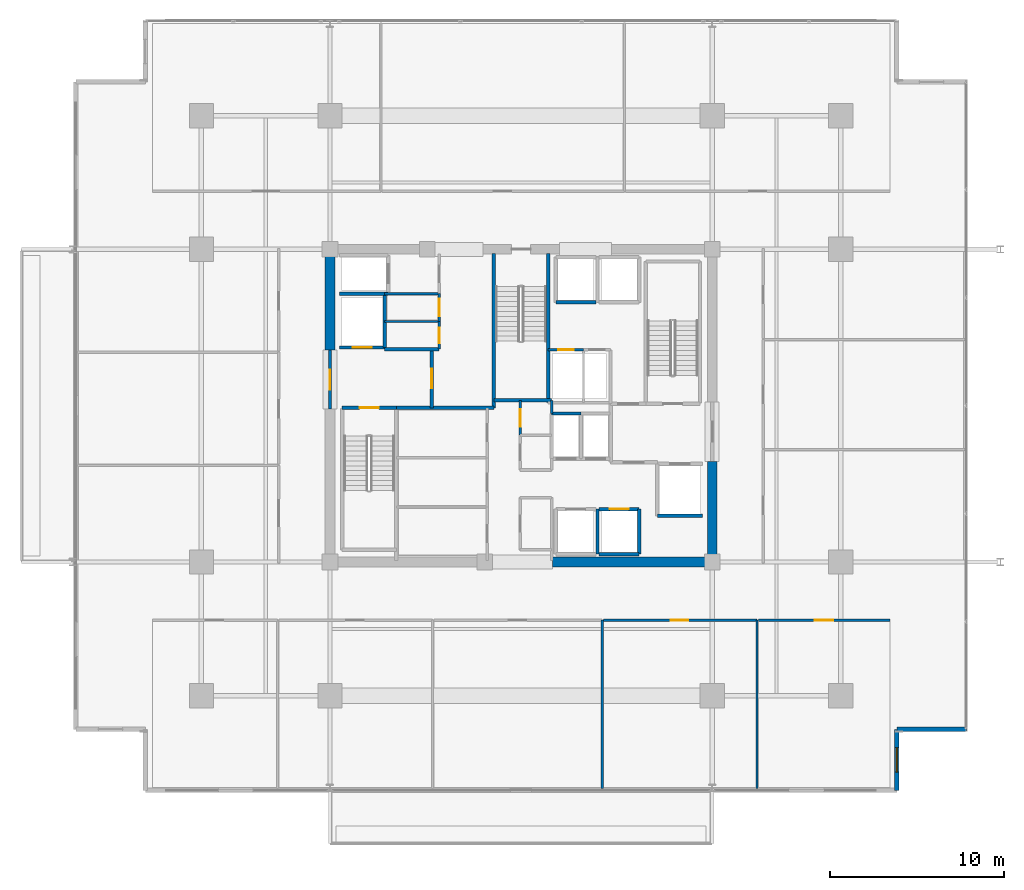
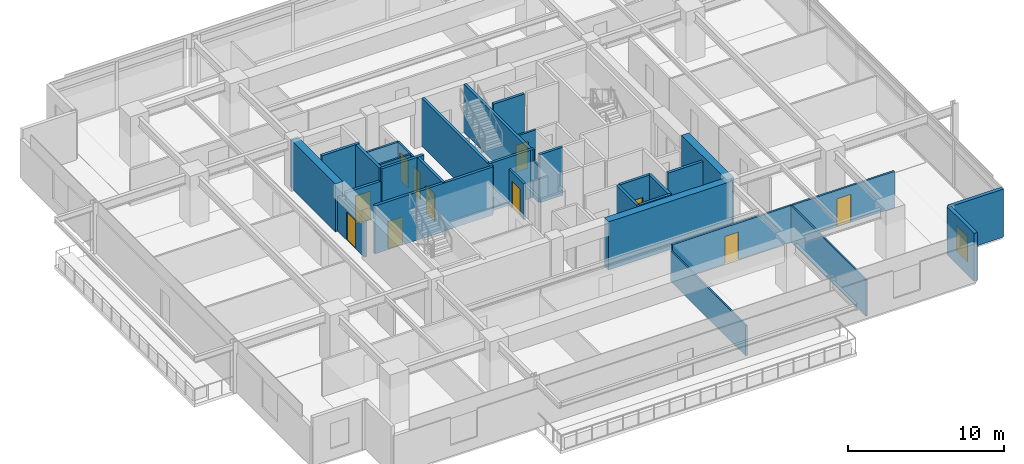
# One storey, part 16 of 23: 34 walls, 11 doors, 1 window, 12 openings.
"""IFC4 building model written with IfcOpenShell, lengths in metres."""

from ifc_helpers import new_model, si_unit, direction, frame, frame_2d, origin, place, context, subcontext, project, spatial, rectangle, extrude, material, layer, layer_set, type_object, element, fill, save


model = new_model("IFC4")

# Units and contexts
model_context = context("Model", 3, precision=1e-05, world=origin(), true_north=direction((0.0, 1.0)))
body_context = subcontext(model_context, "Body", "Model", "MODEL_VIEW")
ifc_project = project(units=[si_unit("LENGTHUNIT", "METRE"), si_unit("AREAUNIT", "SQUARE_METRE"), si_unit("VOLUMEUNIT", "CUBIC_METRE"), si_unit("PLANEANGLEUNIT", "RADIAN"), si_unit("MASSUNIT", "GRAM", prefix="KILO")], contexts=[model_context])

# Site, building, storey
site_placement = place(None, origin())
site = spatial("IfcSite", under=ifc_project, at=site_placement, CompositionType="ELEMENT")
building_placement = place(site_placement, origin())
building = spatial("IfcBuilding", under=site, at=building_placement, Name="Kovane Verandah Tower", CompositionType="ELEMENT")
storey_placement = place(building_placement, frame((0.0, 0.0, 221.199951171875)))
storey = spatial("IfcBuildingStorey", under=building, at=storey_placement, Name="L51", CompositionType="ELEMENT", Elevation=221.199951171875)

# Wall
ifc_material_1 = material(Name="Fire-Rated Gypsum Stud Partition", Category="gypsum")
ifc_layer_1 = layer(ifc_material_1, 0.14990234375)
ifc_layer_set_1 = layer_set([ifc_layer_1], Name="Fire-Rated Gypsum Stud Partition")
wall_type_1 = type_object("IfcWallType", Name="WL-COR-150", PredefinedType="PARTITIONING", material=ifc_layer_set_1)
wall_1_placement = place(storey_placement, frame((41.760009765625, 27.050048828125, 0.0), z_axis=(0.0, 0.0, 1.0), x_axis=(0.0, 1.0, 0.0)))
element("IfcWall", 1, at=wall_1_placement, inside=storey, type_object=wall_type_1, Name="L51 Central Core Strip Upper East Wall", PredefinedType="PARTITIONING", context=body_context, shape_type="SweptSolid", body=[
    extrude(rectangle(XDim=0.75, YDim=0.14990234375, at=frame_2d((0.375, 0.0))), origin(), (0.0, 0.0, 1.0), 2.85009765625),
])

# Wall, opening, door
wall_2_placement = place(storey_placement, frame((39.949951171875, 25.800048828125, 0.0), z_axis=(0.0, 0.0, 1.0), x_axis=(0.0, 1.0, 0.0)))
wall_2 = element("IfcWall", 2, at=wall_2_placement, inside=storey, type_object=wall_type_1, Name="L51 Central First Aid and Wellness Room Partition", PredefinedType="PARTITIONING", context=body_context, shape_type="SweptSolid", body=[
    extrude(rectangle(XDim=2.0, YDim=0.14990234375, at=frame_2d((1.0, 0.0))), origin(), (0.0, 0.0, 1.0), 2.85009765625),
])
opening_1_placement = place(wall_2_placement, frame((0.5, 0.0, 0.0)))
opening_1 = element("IfcOpeningElement", 3, at=opening_1_placement, cuts=wall_2, Name="Opening DR-L51-029", PredefinedType="OPENING", context=body_context, shape_type="SweptSolid", body=[
    extrude(rectangle(XDim=1.0, YDim=2.14990234375, at=frame_2d((0.5, 1.074951171875))), frame((0.0, 0.074951171875, 0.0), z_axis=(0.0, -1.0, 0.0), x_axis=(1.0, 0.0, 0.0)), (0.0, 0.0, 1.0), 0.14990234375),
])
ifc_material_2 = material(Name="FSC Spotted-Gum Timber Fire-Rated Office Door", Category="wood")
door_type_1 = type_object("IfcDoorType", Name="DR-OFF-1000", OperationType="SINGLE_SWING_LEFT", PredefinedType="DOOR", material=ifc_material_2)
door_1_placement = place(opening_1_placement, origin())
door_1 = element("IfcDoor", 4, at=door_1_placement, inside=storey, type_object=door_type_1, Name="L51 Central First Aid and Wellness Room Door", OperationType="SINGLE_SWING_RIGHT", OverallHeight=2.14990234375, OverallWidth=1.0, PredefinedType="DOOR", context=body_context, shape_type="SweptSolid", body=[
    extrude(rectangle(XDim=1.0, YDim=2.14990234375, at=frame_2d((0.5, 1.074951171875))), frame((0.0, 0.02490234375, 0.0), z_axis=(0.0, -1.0, 0.0), x_axis=(1.0, 0.0, 0.0)), (0.0, 0.0, 1.0), 0.050048828125),
])
fill(opening_1, door_1)

# Wall
wall_3_placement = place(storey_placement, frame((32.14990234375, 33.949951171875, 0.0), z_axis=(0.0, 0.0, 1.0), x_axis=(1.0, 0.0, 0.0)))
element("IfcWall", 5, at=wall_3_placement, inside=storey, type_object=wall_type_1, Name="L51 Goods Lift Lobby South Wall", PredefinedType="PARTITIONING", context=body_context, shape_type="SweptSolid", body=[
    extrude(rectangle(XDim=3.130126953125, YDim=0.14990234375, at=frame_2d((1.56494140625, 0.0))), origin(), (0.0, 0.0, 1.0), 2.85009765625),
])

# Wall, opening, door
wall_4_placement = place(storey_placement, frame((35.280029296875, 30.75, 0.0), z_axis=(0.0, 0.0, 1.0), x_axis=(0.0, 1.0, 0.0)))
wall_4 = element("IfcWall", 6, at=wall_4_placement, inside=storey, type_object=wall_type_1, Name="L51 Accessible Unisex Toilet Partition", PredefinedType="PARTITIONING", context=body_context, shape_type="SweptSolid", body=[
    extrude(rectangle(XDim=1.60009765625, YDim=0.14990234375, at=frame_2d((0.800048828125, 0.0))), origin(), (0.0, 0.0, 1.0), 2.85009765625),
])
opening_2_placement = place(wall_4_placement, frame((0.35009765625, 0.0, 0.0)))
opening_2 = element("IfcOpeningElement", 7, at=opening_2_placement, cuts=wall_4, Name="Opening DR-L51-030", PredefinedType="OPENING", context=body_context, shape_type="SweptSolid", body=[
    extrude(rectangle(XDim=0.89990234375, YDim=2.10009765625, at=frame_2d((0.449951171875, 1.050048828125))), frame((0.0, 0.074951171875, 0.0), z_axis=(0.0, -1.0, 0.0), x_axis=(1.0, 0.0, 0.0)), (0.0, 0.0, 1.0), 0.14990234375),
])
ifc_material_3 = material(Name="Moisture-Resistant Laminate Washroom Door", Category="wood")
door_type_2 = type_object("IfcDoorType", Name="DR-WC-900", OperationType="SINGLE_SWING_LEFT", PredefinedType="DOOR", material=ifc_material_3)
door_2_placement = place(opening_2_placement, origin())
door_2 = element("IfcDoor", 8, at=door_2_placement, inside=storey, type_object=door_type_2, Name="L51 Accessible Unisex Toilet Door", OperationType="SINGLE_SWING_RIGHT", OverallHeight=2.10009765625, OverallWidth=0.89990234375, PredefinedType="DOOR", context=body_context, shape_type="SweptSolid", body=[
    extrude(rectangle(XDim=0.89990234375, YDim=2.10009765625, at=frame_2d((0.449951171875, 1.050048828125))), frame((0.0, 0.02490234375, 0.0), z_axis=(0.0, -1.0, 0.0), x_axis=(1.0, 0.0, 0.0)), (0.0, 0.0, 1.0), 0.050048828125),
])
fill(opening_2, door_2)

wall_5_placement = place(storey_placement, frame((35.280029296875, 32.35009765625, 0.0), z_axis=(0.0, 0.0, 1.0), x_axis=(0.0, 1.0, 0.0)))
wall_5 = element("IfcWall", 9, at=wall_5_placement, inside=storey, type_object=wall_type_1, Name="L51 North-West First Aid Room Partition", PredefinedType="PARTITIONING", context=body_context, shape_type="SweptSolid", body=[
    extrude(rectangle(XDim=1.599853515625, YDim=0.14990234375, at=frame_2d((0.7998046875, 0.0))), origin(), (0.0, 0.0, 1.0), 2.85009765625),
])
opening_3_placement = place(wall_5_placement, frame((0.300048828125, 0.0, 0.0)))
opening_3 = element("IfcOpeningElement", 10, at=opening_3_placement, cuts=wall_5, Name="Opening DR-L51-012", PredefinedType="OPENING", context=body_context, shape_type="SweptSolid", body=[
    extrude(rectangle(XDim=1.0, YDim=2.14990234375, at=frame_2d((0.5, 1.074951171875))), frame((0.0, 0.074951171875, 0.0), z_axis=(0.0, -1.0, 0.0), x_axis=(1.0, 0.0, 0.0)), (0.0, 0.0, 1.0), 0.14990234375),
])
door_3_placement = place(opening_3_placement, origin())
door_3 = element("IfcDoor", 11, at=door_3_placement, inside=storey, type_object=door_type_1, Name="L51 North-West First Aid Room Door", OperationType="SINGLE_SWING_LEFT", OverallHeight=2.14990234375, OverallWidth=1.0, PredefinedType="DOOR", context=body_context, shape_type="SweptSolid", body=[
    extrude(rectangle(XDim=1.0, YDim=2.14990234375, at=frame_2d((0.5, 1.074951171875))), frame((0.0, 0.02490234375, 0.0), z_axis=(0.0, -1.0, 0.0), x_axis=(1.0, 0.0, 0.0)), (0.0, 0.0, 1.0), 0.050048828125),
])
fill(opening_3, door_3)

wall_6_placement = place(storey_placement, frame((41.56005859375, 30.719970703125, 0.0), z_axis=(0.0, 0.0, 1.0), x_axis=(1.0, 0.0, 0.0)))
wall_6 = element("IfcWall", 12, at=wall_6_placement, inside=storey, type_object=wall_type_1, Name="L51 Electrical Sub-Main Riser Room Partition", PredefinedType="PARTITIONING", context=body_context, shape_type="SweptSolid", body=[
    extrude(rectangle(XDim=2.0400390625, YDim=0.14990234375, at=frame_2d((1.02001953125, 0.0))), origin(), (0.0, 0.0, 1.0), 2.85009765625),
])
opening_4_placement = place(wall_6_placement, frame((0.580078125, 0.0, 0.0)))
opening_4 = element("IfcOpeningElement", 13, at=opening_4_placement, cuts=wall_6, Name="Opening DR-L51-019", PredefinedType="OPENING", context=body_context, shape_type="SweptSolid", body=[
    extrude(rectangle(XDim=0.8798828125, YDim=2.10009765625, at=frame_2d((0.43994140625, 1.050048828125))), frame((0.0, 0.074951171875, 0.0), z_axis=(0.0, -1.0, 0.0), x_axis=(1.0, 0.0, 0.0)), (0.0, 0.0, 1.0), 0.14990234375),
])
ifc_material_4 = material(Name="Fire-Rated Steel Riser Access Door", Category="steel")
door_type_3 = type_object("IfcDoorType", Name="DR-RISER-880", OperationType="SINGLE_SWING_LEFT", PredefinedType="DOOR", material=ifc_material_4)
door_4_placement = place(opening_4_placement, origin())
door_4 = element("IfcDoor", 14, at=door_4_placement, inside=storey, type_object=door_type_3, Name="L51 Electrical Sub-Main Riser Room Door", OperationType="SINGLE_SWING_LEFT", OverallHeight=2.10009765625, OverallWidth=0.8798828125, PredefinedType="DOOR", context=body_context, shape_type="SweptSolid", body=[
    extrude(rectangle(XDim=0.8798828125, YDim=2.10009765625, at=frame_2d((0.43994140625, 1.050048828125))), frame((0.0, 0.02490234375, 0.0), z_axis=(0.0, -1.0, 0.0), x_axis=(1.0, 0.0, 0.0)), (0.0, 0.0, 1.0), 0.050048828125),
])
fill(opening_4, door_4)

wall_7_placement = place(storey_placement, frame((44.740966796875, 15.14990234375, 0.0), z_axis=(0.0, 0.0, 1.0), x_axis=(1.0, 0.0, 0.0)))
wall_7 = element("IfcWall", 15, at=wall_7_placement, inside=storey, type_object=wall_type_1, Name="L51 Open Plan Office S4 Corridor Partition", PredefinedType="PARTITIONING", context=body_context, shape_type="SweptSolid", body=[
    extrude(rectangle(XDim=8.846923828125, YDim=0.14990234375, at=frame_2d((4.42333984375, 0.0))), origin(), (0.0, 0.0, 1.0), 2.85009765625),
])
opening_5_placement = place(wall_7_placement, frame((3.888671875, 0.0, 0.0)))
opening_5 = element("IfcOpeningElement", 16, at=opening_5_placement, cuts=wall_7, Name="Opening DR-L51-027", PredefinedType="OPENING", context=body_context, shape_type="SweptSolid", body=[
    extrude(rectangle(XDim=1.0, YDim=2.14990234375, at=frame_2d((0.5, 1.074951171875))), frame((0.0, 0.074951171875, 0.0), z_axis=(0.0, -1.0, 0.0), x_axis=(1.0, 0.0, 0.0)), (0.0, 0.0, 1.0), 0.14990234375),
])
door_5_placement = place(opening_5_placement, origin())
door_5 = element("IfcDoor", 17, at=door_5_placement, inside=storey, type_object=door_type_1, Name="L51 Open Plan Office S4 Entrance Door", OperationType="SINGLE_SWING_LEFT", OverallHeight=2.14990234375, OverallWidth=1.0, PredefinedType="DOOR", context=body_context, shape_type="SweptSolid", body=[
    extrude(rectangle(XDim=1.0, YDim=2.14990234375, at=frame_2d((0.5, 1.074951171875))), frame((0.0, 0.02490234375, 0.0), z_axis=(0.0, -1.0, 0.0), x_axis=(1.0, 0.0, 0.0)), (0.0, 0.0, 1.0), 0.050048828125),
])
fill(opening_5, door_5)

wall_8_placement = place(storey_placement, frame((53.657958984375, 15.14990234375, 0.0), z_axis=(0.0, 0.0, 1.0), x_axis=(1.0, 0.0, 0.0)))
wall_8 = element("IfcWall", 18, at=wall_8_placement, inside=storey, type_object=wall_type_1, Name="L51 Executive Office S5 Corridor Partition", PredefinedType="PARTITIONING", context=body_context, shape_type="SweptSolid", body=[
    extrude(rectangle(XDim=7.5732421875, YDim=0.14990234375, at=frame_2d((3.78662109375, 0.0))), origin(), (0.0, 0.0, 1.0), 2.85009765625),
])
opening_6_placement = place(wall_8_placement, frame((3.26171875, 0.0, 0.0)))
opening_6 = element("IfcOpeningElement", 19, at=opening_6_placement, cuts=wall_8, Name="Opening DR-L51-028", PredefinedType="OPENING", context=body_context, shape_type="SweptSolid", body=[
    extrude(rectangle(XDim=1.050048828125, YDim=2.199951171875, at=frame_2d((0.52490234375, 1.10009765625))), frame((0.0, 0.074951171875, 0.0), z_axis=(0.0, -1.0, 0.0), x_axis=(1.0, 0.0, 0.0)), (0.0, 0.0, 1.0), 0.14990234375),
])
ifc_material_5 = material(Name="FSC Blackbutt Timber Fire-Rated Executive Door", Category="wood")
door_type_4 = type_object("IfcDoorType", Name="DR-EXEC-1050", OperationType="SINGLE_SWING_LEFT", PredefinedType="DOOR", material=ifc_material_5)
door_6_placement = place(opening_6_placement, origin())
door_6 = element("IfcDoor", 20, at=door_6_placement, inside=storey, type_object=door_type_4, Name="L51 Executive Office S5 Entrance Door", OperationType="SINGLE_SWING_RIGHT", OverallHeight=2.199951171875, OverallWidth=1.050048828125, PredefinedType="DOOR", context=body_context, shape_type="SweptSolid", body=[
    extrude(rectangle(XDim=1.050048828125, YDim=2.199951171875, at=frame_2d((0.52490234375, 1.10009765625))), frame((0.0, 0.02490234375, 0.0), z_axis=(0.0, -1.0, 0.0), x_axis=(1.0, 0.0, 0.0)), (0.0, 0.0, 1.0), 0.050048828125),
])
fill(opening_6, door_6)

# Walls
ifc_material_6 = material(Name="Concrete C60/75", Category="concrete")
ifc_layer_2 = layer(ifc_material_6, 0.550048828125)
ifc_layer_set_2 = layer_set([ifc_layer_2], Name="Concrete C60/75")
wall_type_2 = type_object("IfcWallType", Name="WL-CORE-550", PredefinedType="SHEAR", material=ifc_layer_set_2)
wall_9_placement = place(storey_placement, frame((41.800048828125, 18.5, 0.0), z_axis=(0.0, 0.0, 1.0), x_axis=(1.0, 0.0, 0.0)))
element("IfcWall", 21, at=wall_9_placement, inside=storey, type_object=wall_type_2, Name="L51 Core Shear Wall CS-2", PredefinedType="SHEAR", context=body_context, shape_type="SweptSolid", body=[
    extrude(rectangle(XDim=9.199951171875, YDim=0.550048828125, at=frame_2d((4.60009765625, 0.0))), origin(), (0.0, 0.0, 1.0), 3.775146484375),
])
for number, where, z_axis, x_axis, name in (
    (22, (29.0, 30.699951171875, 0.0), (0.0, 0.0, 1.0), (0.0, 1.0, 0.0), "L51 Core Shear Wall CW-2"),
    (23, (51.0, 18.5, 0.0), (0.0, 0.0, 1.0), (0.0, 1.0, 0.0), "L51 Core Shear Wall CE-1"),
):
    element("IfcWall", number, at=place(storey_placement, frame(where, z_axis=z_axis, x_axis=x_axis)), inside=storey, type_object=wall_type_2, Name=name, PredefinedType="SHEAR", context=body_context, shape_type="SweptSolid", body=[
        extrude(rectangle(XDim=5.800048828125, YDim=0.550048828125, at=frame_2d((2.89990234375, 0.0))), origin(), (0.0, 0.0, 1.0), 3.775146484375),
    ])

# Wall, opening, door
ifc_material_7 = material(Name="Concrete C45/55 Fire Wall", Category="concrete")
ifc_layer_3 = layer(ifc_material_7, 0.199951171875)
ifc_layer_set_3 = layer_set([ifc_layer_3], Name="Concrete C45/55 Fire Wall")
wall_type_3 = type_object("IfcWallType", Name="WL-FFL-200", PredefinedType="PARTITIONING", material=ifc_layer_set_3)
wall_10_placement = place(storey_placement, frame((34.85009765625, 27.3798828125, 0.0), z_axis=(0.0, 0.0, 1.0), x_axis=(0.0, 1.0, 0.0)))
wall_10 = element("IfcWall", 24, at=wall_10_placement, inside=storey, type_object=wall_type_3, Name="W-L51-FFLW-E", PredefinedType="PARTITIONING", context=body_context, shape_type="SweptSolid", body=[
    extrude(rectangle(XDim=3.3701171875, YDim=0.199951171875, at=frame_2d((1.68505859375, 0.0))), origin(), (0.0, 0.0, 1.0), 3.775146484375),
])
opening_7_placement = place(wall_10_placement, frame((1.110107421875, 0.0, 0.0)))
opening_7 = element("IfcOpeningElement", 25, at=opening_7_placement, cuts=wall_10, Name="Opening DR-L51-006", PredefinedType="OPENING", context=body_context, shape_type="SweptSolid", body=[
    extrude(rectangle(XDim=1.14990234375, YDim=2.199951171875, at=frame_2d((0.574951171875, 1.10009765625))), frame((0.0, 0.10009765625, 0.0), z_axis=(0.0, -1.0, 0.0), x_axis=(1.0, 0.0, 0.0)), (0.0, 0.0, 1.0), 0.199951171875),
])
ifc_material_8 = material(Name="Smoke-Sealed Firefighting Lobby Door", Category="steel")
door_type_5 = type_object("IfcDoorType", Name="DR-FFL-1150", OperationType="SINGLE_SWING_LEFT", PredefinedType="DOOR", material=ifc_material_8)
door_7_placement = place(opening_7_placement, origin())
door_7 = element("IfcDoor", 26, at=door_7_placement, inside=storey, type_object=door_type_5, Name="L51 West Firefighting Lobby Inner Door", OperationType="SINGLE_SWING_LEFT", OverallHeight=2.199951171875, OverallWidth=1.14990234375, PredefinedType="DOOR", context=body_context, shape_type="SweptSolid", body=[
    extrude(rectangle(XDim=1.14990234375, YDim=2.199951171875, at=frame_2d((0.574951171875, 1.10009765625))), frame((0.0, 0.02490234375, 0.0), z_axis=(0.0, -1.0, 0.0), x_axis=(1.0, 0.0, 0.0)), (0.0, 0.0, 1.0), 0.050048828125),
])
fill(opening_7, door_7)

wall_11_placement = place(storey_placement, frame((29.0, 27.300048828125, 0.0), z_axis=(0.0, 0.0, 1.0), x_axis=(0.0, 1.0, 0.0)))
wall_11 = element("IfcWall", 27, at=wall_11_placement, inside=storey, type_object=wall_type_3, Name="W-L51-FFLW-OUT", PredefinedType="PARTITIONING", context=body_context, shape_type="SweptSolid", body=[
    extrude(rectangle(XDim=3.39990234375, YDim=0.199951171875, at=frame_2d((1.699951171875, 0.0))), origin(), (0.0, 0.0, 1.0), 2.755126953125),
])
opening_8_placement = place(wall_11_placement, frame((1.125, 0.0, 0.0)))
opening_8 = element("IfcOpeningElement", 28, at=opening_8_placement, cuts=wall_11, Name="Opening DR-L51-007", PredefinedType="OPENING", context=body_context, shape_type="SweptSolid", body=[
    extrude(rectangle(XDim=1.14990234375, YDim=2.199951171875, at=frame_2d((0.574951171875, 1.10009765625))), frame((0.0, 0.10009765625, 0.0), z_axis=(0.0, -1.0, 0.0), x_axis=(1.0, 0.0, 0.0)), (0.0, 0.0, 1.0), 0.199951171875),
])
door_8_placement = place(opening_8_placement, origin())
door_8 = element("IfcDoor", 29, at=door_8_placement, inside=storey, type_object=door_type_5, Name="L51 West Firefighting Lobby Corridor Door", OperationType="SINGLE_SWING_RIGHT", OverallHeight=2.199951171875, OverallWidth=1.14990234375, PredefinedType="DOOR", context=body_context, shape_type="SweptSolid", body=[
    extrude(rectangle(XDim=1.14990234375, YDim=2.199951171875, at=frame_2d((0.574951171875, 1.10009765625))), frame((0.0, 0.02490234375, 0.0), z_axis=(0.0, -1.0, 0.0), x_axis=(1.0, 0.0, 0.0)), (0.0, 0.0, 1.0), 0.050048828125),
])
fill(opening_8, door_8)

# Walls
wall_12_placement = place(storey_placement, frame((32.820068359375, 27.3798828125, 0.0), z_axis=(0.0, 0.0, 1.0), x_axis=(1.0, 0.0, 0.0)))
element("IfcWall", 30, at=wall_12_placement, inside=storey, type_object=wall_type_3, Name="L51 West Firefighting Lobby South Fire Wall", PredefinedType="PARTITIONING", context=body_context, shape_type="SweptSolid", body=[
    extrude(rectangle(XDim=5.619873046875, YDim=0.199951171875, at=frame_2d((2.81005859375, 0.0))), origin(), (0.0, 0.0, 1.0), 3.775146484375),
])
wall_13_placement = place(storey_placement, frame((32.14990234375, 30.75, 0.0), z_axis=(0.0, 0.0, 1.0), x_axis=(1.0, 0.0, 0.0)))
element("IfcWall", 31, at=wall_13_placement, inside=storey, type_object=wall_type_3, Name="L51 West Firefighting Lobby North Fire Wall", PredefinedType="PARTITIONING", context=body_context, shape_type="SweptSolid", body=[
    extrude(rectangle(XDim=3.130126953125, YDim=0.199951171875, at=frame_2d((1.56494140625, 0.0))), origin(), (0.0, 0.0, 1.0), 3.775146484375),
])

# Wall, opening, door
ifc_material_9 = material(Name="Concrete C45/55 Lift Shaft Wall", Category="concrete")
ifc_layer_4 = layer(ifc_material_9, 0.199951171875)
ifc_layer_set_4 = layer_set([ifc_layer_4], Name="Concrete C45/55 Lift Shaft Wall")
wall_type_4 = type_object("IfcWallType", Name="WL-LIFT-200", PredefinedType="SOLIDWALL", material=ifc_layer_set_4)
wall_14_placement = place(storey_placement, frame((29.550048828125, 30.85009765625, 0.0), z_axis=(0.0, 0.0, 1.0), x_axis=(1.0, 0.0, 0.0)))
wall_14 = element("IfcWall", 32, at=wall_14_placement, inside=storey, type_object=wall_type_4, Name="L51 Lift FL-01 S Shaft Wall", PredefinedType="SOLIDWALL", context=body_context, shape_type="SweptSolid", body=[
    extrude(rectangle(XDim=2.599853515625, YDim=0.199951171875, at=frame_2d((1.2998046875, 0.0))), origin(), (0.0, 0.0, 1.0), 2.755126953125),
])
opening_9_placement = place(wall_14_placement, frame((0.75, 0.0, 0.0)))
opening_9 = element("IfcOpeningElement", 33, at=opening_9_placement, cuts=wall_14, Name="Opening LD-L51-001", PredefinedType="OPENING", context=body_context, shape_type="SweptSolid", body=[
    extrude(rectangle(XDim=1.10009765625, YDim=2.199951171875, at=frame_2d((0.550048828125, 1.10009765625))), frame((0.0, 0.10009765625, 0.0), z_axis=(0.0, -1.0, 0.0), x_axis=(1.0, 0.0, 0.0)), (0.0, 0.0, 1.0), 0.199951171875),
])
ifc_material_10 = material(Name="Brushed Stainless Steel Sliding Lift Landing Door", Category="steel")
door_type_6 = type_object("IfcDoorType", Name="DR-LIFT-1100", OperationType="SLIDING_TO_RIGHT", PredefinedType="DOOR", material=ifc_material_10)
door_9_placement = place(opening_9_placement, origin())
door_9 = element("IfcDoor", 34, at=door_9_placement, inside=storey, type_object=door_type_6, Name="L51 Lift FL-01 Sliding Landing Door", OperationType="SLIDING_TO_RIGHT", OverallHeight=2.199951171875, OverallWidth=1.10009765625, PredefinedType="DOOR", context=body_context, shape_type="SweptSolid", body=[
    extrude(rectangle(XDim=1.10009765625, YDim=2.199951171875, at=frame_2d((0.550048828125, 1.10009765625))), frame((0.0, 0.02490234375, 0.0), z_axis=(0.0, -1.0, 0.0), x_axis=(1.0, 0.0, 0.0)), (0.0, 0.0, 1.0), 0.050048828125),
])
fill(opening_9, door_9)

# Walls
wall_15_placement = place(storey_placement, frame((29.550048828125, 33.949951171875, 0.0), z_axis=(0.0, 0.0, 1.0), x_axis=(1.0, 0.0, 0.0)))
element("IfcWall", 35, at=wall_15_placement, inside=storey, type_object=wall_type_4, Name="L51 Lift FL-01 and GL-01 Shared Shaft Wall", PredefinedType="SOLIDWALL", context=body_context, shape_type="SweptSolid", body=[
    extrude(rectangle(XDim=2.800048828125, YDim=0.199951171875, at=frame_2d((1.39990234375, 0.0))), origin(), (0.0, 0.0, 1.0), 3.775146484375),
])
wall_16_placement = place(storey_placement, frame((32.14990234375, 30.85009765625, 0.0), z_axis=(0.0, 0.0, 1.0), x_axis=(0.0, 1.0, 0.0)))
element("IfcWall", 36, at=wall_16_placement, inside=storey, type_object=wall_type_4, Name="L51 Lift FL-01 E Shaft Wall", PredefinedType="SOLIDWALL", context=body_context, shape_type="SweptSolid", body=[
    extrude(rectangle(XDim=3.0, YDim=0.199951171875, at=frame_2d((1.5, 0.0))), origin(), (0.0, 0.0, 1.0), 3.775146484375),
])
wall_17_placement = place(storey_placement, frame((47.85009765625, 21.14990234375, 0.0), z_axis=(0.0, 0.0, 1.0), x_axis=(1.0, 0.0, 0.0)))
element("IfcWall", 37, at=wall_17_placement, inside=storey, type_object=wall_type_4, Name="L51 Lift FL-02 S Shaft Wall", PredefinedType="SOLIDWALL", context=body_context, shape_type="SweptSolid", body=[
    extrude(rectangle(XDim=2.599853515625, YDim=0.199951171875, at=frame_2d((1.2998046875, 0.0))), origin(), (0.0, 0.0, 1.0), 3.775146484375),
])
wall_18_placement = place(storey_placement, frame((44.39990234375, 18.949951171875, 0.0), z_axis=(0.0, 0.0, 1.0), x_axis=(0.0, 1.0, 0.0)))
element("IfcWall", 38, at=wall_18_placement, inside=storey, type_object=wall_type_4, Name="L51 Lift PL-M1 and PL-M2 Shared Shaft Wall", PredefinedType="SOLIDWALL", context=body_context, shape_type="SweptSolid", body=[
    extrude(rectangle(XDim=2.60009765625, YDim=0.199951171875, at=frame_2d((1.300048828125, 0.0))), origin(), (0.0, 0.0, 1.0), 3.775146484375),
])
wall_19_placement = place(storey_placement, frame((44.5, 18.949951171875, 0.0), z_axis=(0.0, 0.0, 1.0), x_axis=(1.0, 0.0, 0.0)))
element("IfcWall", 39, at=wall_19_placement, inside=storey, type_object=wall_type_4, Name="L51 Lift PL-M2 S Shaft Wall", PredefinedType="SOLIDWALL", context=body_context, shape_type="SweptSolid", body=[
    extrude(rectangle(XDim=2.300048828125, YDim=0.199951171875, at=frame_2d((1.14990234375, 0.0))), origin(), (0.0, 0.0, 1.0), 3.775146484375),
])

# Wall, opening, door
wall_20_placement = place(storey_placement, frame((46.800048828125, 21.550048828125, 0.0), z_axis=(0.0, 0.0, 1.0), x_axis=(-1.0, 0.0, 0.0)))
wall_20 = element("IfcWall", 40, at=wall_20_placement, inside=storey, type_object=wall_type_4, Name="L51 Lift PL-M2 N Shaft Wall", PredefinedType="SOLIDWALL", context=body_context, shape_type="SweptSolid", body=[
    extrude(rectangle(XDim=2.300048828125, YDim=0.199951171875, at=frame_2d((1.14990234375, 0.0))), origin(), (0.0, 0.0, 1.0), 3.775146484375),
])
opening_10_placement = place(wall_20_placement, frame((0.60009765625, 0.0, 0.0)))
opening_10 = element("IfcOpeningElement", 41, at=opening_10_placement, cuts=wall_20, Name="Opening LD-L51-005", PredefinedType="OPENING", context=body_context, shape_type="SweptSolid", body=[
    extrude(rectangle(XDim=1.10009765625, YDim=2.199951171875, at=frame_2d((0.550048828125, 1.10009765625))), frame((0.0, 0.10009765625, 0.0), z_axis=(0.0, -1.0, 0.0), x_axis=(1.0, 0.0, 0.0)), (0.0, 0.0, 1.0), 0.199951171875),
])
door_10_placement = place(opening_10_placement, origin())
door_10 = element("IfcDoor", 42, at=door_10_placement, inside=storey, type_object=door_type_6, Name="L51 Lift PL-M2 Sliding Landing Door", OperationType="SLIDING_TO_RIGHT", OverallHeight=2.199951171875, OverallWidth=1.10009765625, PredefinedType="DOOR", context=body_context, shape_type="SweptSolid", body=[
    extrude(rectangle(XDim=1.10009765625, YDim=2.199951171875, at=frame_2d((0.550048828125, 1.10009765625))), frame((0.0, 0.02490234375, 0.0), z_axis=(0.0, -1.0, 0.0), x_axis=(1.0, 0.0, 0.0)), (0.0, 0.0, 1.0), 0.050048828125),
])
fill(opening_10, door_10)

# Walls
wall_21_placement = place(storey_placement, frame((46.800048828125, 18.949951171875, 0.0), z_axis=(0.0, 0.0, 1.0), x_axis=(0.0, 1.0, 0.0)))
element("IfcWall", 43, at=wall_21_placement, inside=storey, type_object=wall_type_4, Name="L51 Lift PL-M2 E Shaft Wall", PredefinedType="SOLIDWALL", context=body_context, shape_type="SweptSolid", body=[
    extrude(rectangle(XDim=2.60009765625, YDim=0.199951171875, at=frame_2d((1.300048828125, 0.0))), origin(), (0.0, 0.0, 1.0), 3.775146484375),
])
wall_22_placement = place(storey_placement, frame((43.43994140625, 27.050048828125, 0.0), z_axis=(0.0, 0.0, 1.0), x_axis=(-1.0, 0.0, 0.0)))
element("IfcWall", 44, at=wall_22_placement, inside=storey, type_object=wall_type_4, Name="L51 Lift PL-M3 N Shaft Wall", PredefinedType="SOLIDWALL", context=body_context, shape_type="SweptSolid", body=[
    extrude(rectangle(XDim=1.679931640625, YDim=0.199951171875, at=frame_2d((0.83984375, 0.0))), origin(), (0.0, 0.0, 1.0), 3.775146484375),
])
wall_23_placement = place(storey_placement, frame((42.0, 33.449951171875, 0.0), z_axis=(0.0, 0.0, 1.0), x_axis=(1.0, 0.0, 0.0)))
element("IfcWall", 45, at=wall_23_placement, inside=storey, type_object=wall_type_4, Name="L51 Lift SL-01 S Shaft Wall", PredefinedType="SOLIDWALL", context=body_context, shape_type="SweptSolid", body=[
    extrude(rectangle(XDim=2.300048828125, YDim=0.199951171875, at=frame_2d((1.14990234375, 0.0))), origin(), (0.0, 0.0, 1.0), 3.775146484375),
])
ifc_material_11 = material(Name="Acoustic Fire-Rated Gypsum Partition", Category="gypsum")
ifc_layer_5 = layer(ifc_material_11, 0.1201171875)
ifc_layer_set_5 = layer_set([ifc_layer_5], Name="Acoustic Fire-Rated Gypsum Partition")
wall_type_5 = type_object("IfcWallType", Name="WL-PART-120", PredefinedType="PARTITIONING", material=ifc_layer_set_5)
wall_24_placement = place(storey_placement, frame((32.14990234375, 32.35009765625, 0.0), z_axis=(0.0, 0.0, 1.0), x_axis=(1.0, 0.0, 0.0)))
element("IfcWall", 46, at=wall_24_placement, inside=storey, type_object=wall_type_5, Name="L51 Accessible Washroom and Support Dividing Partition", PredefinedType="PARTITIONING", context=body_context, shape_type="SweptSolid", body=[
    extrude(rectangle(XDim=3.130126953125, YDim=0.1201171875, at=frame_2d((1.56494140625, 0.0))), origin(), (0.0, 0.0, 1.0), 2.85009765625),
])
wall_25_placement = place(storey_placement, frame((44.6708984375, 5.459716796875, 0.0), z_axis=(0.0, 0.0, 1.0), x_axis=(0.0, 1.0, 0.0)))
element("IfcWall", 47, at=wall_25_placement, inside=storey, type_object=wall_type_5, Name="L51 Document and Print Room S3 Dividing Partition", PredefinedType="PARTITIONING", context=body_context, shape_type="SweptSolid", body=[
    extrude(rectangle(XDim=9.690185546875, YDim=0.1201171875, at=frame_2d((4.84521484375, 0.0))), origin(), (0.0, 0.0, 1.0), 2.405029296875),
])
wall_26_placement = place(storey_placement, frame((53.587890625, 5.459716796875, 0.0), z_axis=(0.0, 0.0, 1.0), x_axis=(0.0, 1.0, 0.0)))
element("IfcWall", 48, at=wall_26_placement, inside=storey, type_object=wall_type_5, Name="L51 Open Plan Office S4 Dividing Partition", PredefinedType="PARTITIONING", context=body_context, shape_type="SweptSolid", body=[
    extrude(rectangle(XDim=9.690185546875, YDim=0.1201171875, at=frame_2d((4.84521484375, 0.0))), origin(), (0.0, 0.0, 1.0), 2.85009765625),
])

# Wall, opening, door
ifc_material_12 = material(Name="Concrete C45/55", Category="concrete")
ifc_layer_6 = layer(ifc_material_12, 0.199951171875)
ifc_layer_set_6 = layer_set([ifc_layer_6], Name="Concrete C45/55")
wall_type_6 = type_object("IfcWallType", Name="WL-SHAFT-200", PredefinedType="SOLIDWALL", material=ifc_layer_set_6)
wall_27_placement = place(storey_placement, frame((29.699951171875, 27.3798828125, 0.0), z_axis=(0.0, 0.0, 1.0), x_axis=(1.0, 0.0, 0.0)))
wall_27 = element("IfcWall", 49, at=wall_27_placement, inside=storey, type_object=wall_type_6, Name="W-L51-ST01-N", PredefinedType="SOLIDWALL", context=body_context, shape_type="SweptSolid", body=[
    extrude(rectangle(XDim=3.1201171875, YDim=0.199951171875, at=frame_2d((1.56005859375, 0.0))), origin(), (0.0, 0.0, 1.0), 3.775146484375),
])
opening_11_placement = place(wall_27_placement, frame((1.010009765625, 0.0, 0.0)))
opening_11 = element("IfcOpeningElement", 50, at=opening_11_placement, cuts=wall_27, Name="Opening DR-L51-009", PredefinedType="OPENING", context=body_context, shape_type="SweptSolid", body=[
    extrude(rectangle(XDim=1.10009765625, YDim=2.14990234375, at=frame_2d((0.550048828125, 1.074951171875))), frame((0.0, 0.10009765625, 0.0), z_axis=(0.0, -1.0, 0.0), x_axis=(1.0, 0.0, 0.0)), (0.0, 0.0, 1.0), 0.199951171875),
])
ifc_material_13 = material(Name="Fire-Rated Steel Exit Door", Category="steel")
door_type_7 = type_object("IfcDoorType", Name="DR-STAIR-1100", OperationType="SINGLE_SWING_LEFT", PredefinedType="DOOR", material=ifc_material_13)
door_11_placement = place(opening_11_placement, origin())
door_11 = element("IfcDoor", 51, at=door_11_placement, inside=storey, type_object=door_type_7, Name="L51 ST-01 Fire Exit Stair Door", OperationType="SINGLE_SWING_LEFT", OverallHeight=2.14990234375, OverallWidth=1.10009765625, PredefinedType="DOOR", context=body_context, shape_type="SweptSolid", body=[
    extrude(rectangle(XDim=1.10009765625, YDim=2.14990234375, at=frame_2d((0.550048828125, 1.074951171875))), frame((0.0, 0.02490234375, 0.0), z_axis=(0.0, -1.0, 0.0), x_axis=(1.0, 0.0, 0.0)), (0.0, 0.0, 1.0), 0.050048828125),
])
fill(opening_11, door_11)

# Walls
wall_28_placement = place(storey_placement, frame((38.43994140625, 27.3798828125, 0.0), z_axis=(0.0, 0.0, 1.0), x_axis=(0.0, 1.0, 0.0)))
element("IfcWall", 52, at=wall_28_placement, inside=storey, type_object=wall_type_6, Name="W-L51-ST03-W", PredefinedType="SOLIDWALL", context=body_context, shape_type="SweptSolid", body=[
    extrude(rectangle(XDim=8.8701171875, YDim=0.199951171875, at=frame_2d((4.43505859375, 0.0))), origin(), (0.0, 0.0, 1.0), 3.775146484375),
])
wall_29_placement = place(storey_placement, frame((41.56005859375, 27.679931640625, 0.0), z_axis=(0.0, 0.0, 1.0), x_axis=(0.0, 1.0, 0.0)))
element("IfcWall", 53, at=wall_29_placement, inside=storey, type_object=wall_type_6, Name="W-L51-ST03-E", PredefinedType="SOLIDWALL", context=body_context, shape_type="SweptSolid", body=[
    extrude(rectangle(XDim=8.570068359375, YDim=0.199951171875, at=frame_2d((4.28515625, 0.0))), origin(), (0.0, 0.0, 1.0), 3.775146484375),
])
wall_30_placement = place(storey_placement, frame((38.43994140625, 27.800048828125, 0.0), z_axis=(0.0, 0.0, 1.0), x_axis=(1.0, 0.0, 0.0)))
element("IfcWall", 54, at=wall_30_placement, inside=storey, type_object=wall_type_6, Name="W-L51-ST03-S", PredefinedType="SOLIDWALL", context=body_context, shape_type="SweptSolid", body=[
    extrude(rectangle(XDim=3.320068359375, YDim=0.199951171875, at=frame_2d((1.66015625, 0.0))), origin(), (0.0, 0.0, 1.0), 3.775146484375),
])

# Wall, opening, window
ifc_material_14 = material(Name="Concrete C45/55 Insulated Spandrel Wall", Category="concrete")
ifc_layer_7 = layer(ifc_material_14, 0.260009765625)
ifc_layer_set_7 = layer_set([ifc_layer_7], Name="Concrete C45/55 Insulated Spandrel Wall")
wall_type_7 = type_object("IfcWallType", Name="WL-SPANDREL-260", PredefinedType="PARAPET", material=ifc_layer_set_7)
wall_31_placement = place(storey_placement, frame((61.63134765625, 5.359619140625, 0.0), z_axis=(0.0, 0.0, 1.0), x_axis=(0.0, 1.0, 0.0)))
wall_31 = element("IfcWall", 55, at=wall_31_placement, inside=storey, type_object=wall_type_7, Name="L51 SE Notch Cheek Wall 1", PredefinedType="PARAPET", context=body_context, shape_type="SweptSolid", body=[
    extrude(rectangle(XDim=3.5, YDim=0.260009765625, at=frame_2d((1.75, 0.0))), origin(), (0.0, 0.0, 1.0), 3.775146484375),
])
opening_12_placement = place(wall_31_placement, frame((1.050048828125, 0.0, 0.85009765625)))
opening_12 = element("IfcOpeningElement", 56, at=opening_12_placement, cuts=wall_31, Name="Opening W-01", PredefinedType="OPENING", context=body_context, shape_type="SweptSolid", body=[
    extrude(rectangle(XDim=1.39990234375, YDim=2.0, at=frame_2d((0.699951171875, 1.0))), frame((0.0, 0.1298828125, 0.0), z_axis=(0.0, -1.0, 0.0), x_axis=(1.0, 0.0, 0.0)), (0.0, 0.0, 1.0), 0.260009765625),
])
ifc_material_15 = material(Name="Clear Low-E Laminated Double Glazing in Anodised Frame", Category="glass")
window_type = type_object("IfcWindowType", Name="WN-OPER-1400x2000", PartitioningType="SINGLE_PANEL", PredefinedType="WINDOW", material=ifc_material_15)
window_placement = place(opening_12_placement, origin())
window = element("IfcWindow", 57, at=window_placement, inside=storey, type_object=window_type, Name="L51 SE Re-Entrant Corner Operable Window", OverallHeight=2.0, OverallWidth=1.39990234375, PartitioningType="SINGLE_PANEL", PredefinedType="WINDOW", context=body_context, shape_type="SweptSolid", body=[
    extrude(rectangle(XDim=1.39990234375, YDim=2.0, at=frame_2d((0.699951171875, 1.0))), frame((0.0, 0.030029296875, 0.0), z_axis=(0.0, -1.0, 0.0), x_axis=(1.0, 0.0, 0.0)), (0.0, 0.0, 1.0), 0.06005859375),
])
fill(opening_12, window)

# Wall
wall_32_placement = place(storey_placement, frame((61.63134765625, 8.859619140625, 0.0), z_axis=(0.0, 0.0, 1.0), x_axis=(1.0, 0.0, 0.0)))
element("IfcWall", 58, at=wall_32_placement, inside=storey, type_object=wall_type_7, Name="L51 SE Notch Cheek Wall 2", PredefinedType="PARAPET", context=body_context, shape_type="SweptSolid", body=[
    extrude(rectangle(XDim=4.0, YDim=0.260009765625, at=frame_2d((2.0, 0.0))), origin(), (0.0, 0.0, 1.0), 3.775146484375),
])

save(model, "model.ifc")
